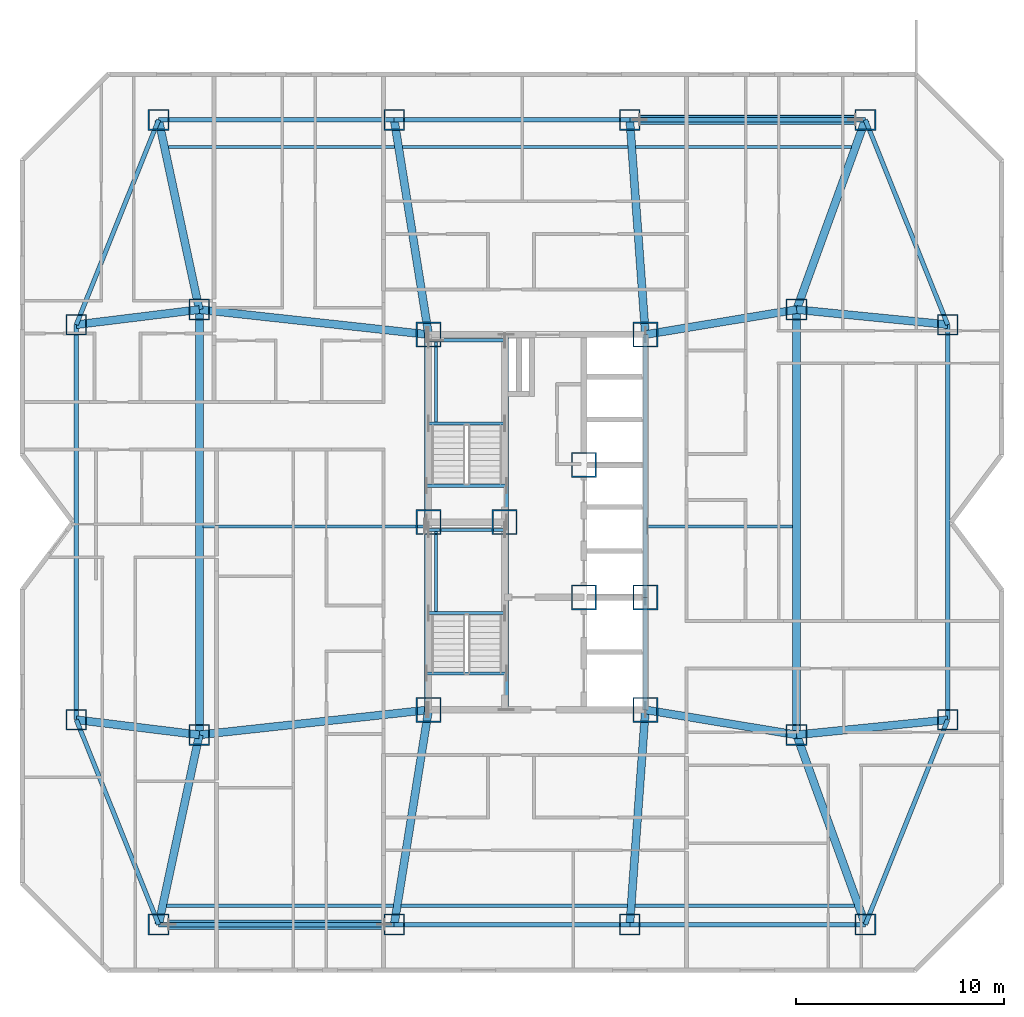
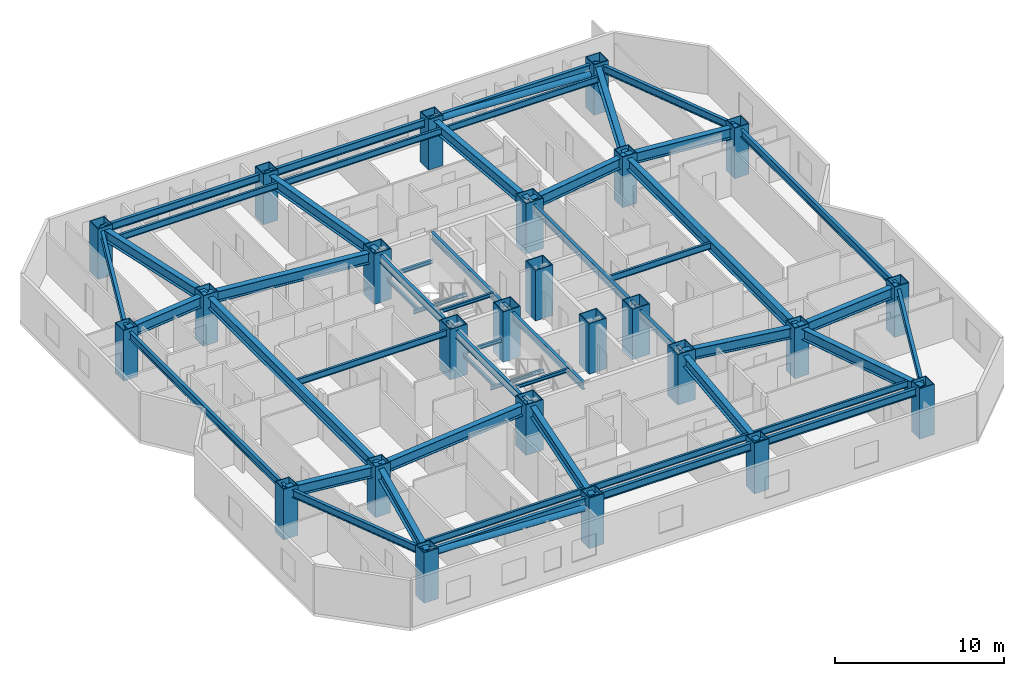
# One storey, part 1 of 11: 52 beams, 25 columns, 2 members.
"""IFC4 building model written with IfcOpenShell, lengths in metres."""

from ifc_helpers import new_model, si_unit, direction, frame, origin, origin_2d, place, context, subcontext, project, spatial, hollow_rectangle, hollow_circle, i_section, extrude, material, material_profile, profile_set, type_object, element, save


model = new_model("IFC4")

# Units and contexts
model_context = context("Model", 3, precision=1e-05, world=origin(), true_north=direction((0.0, 1.0)))
body_context = subcontext(model_context, "Body", "Model", "MODEL_VIEW")
ifc_project = project(units=[si_unit("LENGTHUNIT", "METRE"), si_unit("AREAUNIT", "SQUARE_METRE"), si_unit("VOLUMEUNIT", "CUBIC_METRE"), si_unit("PLANEANGLEUNIT", "RADIAN"), si_unit("MASSUNIT", "GRAM", prefix="KILO")], contexts=[model_context])

# Site, building, storey
site_placement = place(None, origin())
site = spatial("IfcSite", under=ifc_project, at=site_placement, CompositionType="ELEMENT")
building_placement = place(site_placement, origin())
building = spatial("IfcBuilding", under=site, at=building_placement, Name="Khamvora Tower", CompositionType="ELEMENT")
storey_placement = place(building_placement, frame((0.0, 0.0, 116.5)))
storey = spatial("IfcBuildingStorey", under=building, at=storey_placement, Name="L29", CompositionType="ELEMENT", Elevation=116.5)

# Columns
ifc_material_1 = material(Name="Steel S355", Category="steel")
ifc_material_profile_1 = material_profile(ifc_material_1, hollow_rectangle(XDim=1.0, YDim=1.0, WallThickness=0.050048828125, at=origin_2d()), Name="BOX1000x1000x50")
ifc_profile_set_1 = profile_set([ifc_material_profile_1], Name="Steel S355")
column_type_1 = type_object("IfcColumnType", Name="COL-BOX1000", PredefinedType="COLUMN", material=ifc_profile_set_1)
for number, where, z_axis, x_axis, name in (
    (1, (16.050048828125, 8.699951171875, 0.0), (0.0, 0.0, 1.0), (1.0, 0.0, 0.0), "L29 structural frame column S1"),
    (2, (27.35009765625, 8.699951171875, 0.0), (0.0, 0.0, 1.0), (1.0, 0.0, 0.0), "L29 structural frame column S2"),
    (3, (38.64990234375, 8.699951171875, 0.0), (0.0, 0.0, 1.0), (1.0, 0.0, 0.0), "L29 structural frame column S3"),
    (4, (49.949951171875, 8.699951171875, 0.0), (0.0, 0.0, 1.0), (1.0, 0.0, 0.0), "L29 structural frame column S4"),
    (5, (16.050048828125, 47.300048828125, 0.0), (0.0, 0.0, 1.0), (1.0, 0.0, 0.0), "L29 structural frame column N1"),
    (6, (27.35009765625, 47.300048828125, 0.0), (0.0, 0.0, 1.0), (1.0, 0.0, 0.0), "L29 structural frame column N2"),
    (7, (38.64990234375, 47.300048828125, 0.0), (0.0, 0.0, 1.0), (1.0, 0.0, 0.0), "L29 structural frame column N3"),
    (8, (49.949951171875, 47.300048828125, 0.0), (0.0, 0.0, 1.0), (1.0, 0.0, 0.0), "L29 structural frame column N4"),
    (9, (12.10009765625, 18.52490234375, 0.0), (0.0, 0.0, 1.0), (1.0, 0.0, 0.0), "L29 structural frame column W1"),
    (10, (12.10009765625, 37.47509765625, 0.0), (0.0, 0.0, 1.0), (1.0, 0.0, 0.0), "L29 structural frame column W2"),
    (11, (53.89990234375, 18.52490234375, 0.0), (0.0, 0.0, 1.0), (1.0, 0.0, 0.0), "L29 structural frame column E1"),
    (12, (53.89990234375, 37.47509765625, 0.0), (0.0, 0.0, 1.0), (1.0, 0.0, 0.0), "L29 structural frame column E2"),
    (13, (18.0, 17.800048828125, 0.0), (0.0, 0.0, 1.0), (1.0, 0.0, 0.0), "L29 structural frame column MW1"),
    (14, (18.0, 38.199951171875, 0.0), (0.0, 0.0, 1.0), (1.0, 0.0, 0.0), "L29 structural frame column MW2"),
    (15, (46.64990234375, 17.800048828125, 0.0), (0.0, 0.0, 1.0), (1.0, 0.0, 0.0), "L29 structural frame column M1"),
    (16, (46.64990234375, 38.199951171875, 0.0), (0.0, 0.0, 1.0), (1.0, 0.0, 0.0), "L29 structural frame column M2"),
):
    element("IfcColumn", number, at=place(storey_placement, frame(where, z_axis=z_axis, x_axis=x_axis)), inside=storey, type_object=column_type_1, Name=name, PredefinedType="COLUMN", context=body_context, shape_type="SweptSolid", body=[
        extrude(hollow_rectangle(XDim=1.0, YDim=1.0, WallThickness=0.050048828125, at=origin_2d()), origin(), (0.0, 0.0, 1.0), 3.64990234375),
    ])
ifc_material_2 = material(Name="Steel S460", Category="steel")
ifc_material_profile_2 = material_profile(ifc_material_2, hollow_rectangle(XDim=1.199951171875, YDim=1.199951171875, WallThickness=0.06005859375, at=origin_2d()), Name="BOX1200x1200x60")
ifc_profile_set_2 = profile_set([ifc_material_profile_2], Name="Steel S460")
column_type_2 = type_object("IfcColumnType", Name="COL-BOX1200", PredefinedType="COLUMN", material=ifc_profile_set_2)
for number, where, z_axis, x_axis, name in (
    (17, (29.0, 19.0, 0.0), (0.0, 0.0, 1.0), (1.0, 0.0, 0.0), "L29 plumb core spine column SC1"),
    (18, (32.64990234375, 28.0, 0.0), (0.0, 0.0, 1.0), (1.0, 0.0, 0.0), "L29 plumb core spine column SC2"),
    (19, (39.39990234375, 19.0, 0.0), (0.0, 0.0, 1.0), (1.0, 0.0, 0.0), "L29 plumb core spine column SC3"),
    (20, (29.0, 28.0, 0.0), (0.0, 0.0, 1.0), (1.0, 0.0, 0.0), "L29 plumb core spine column SC4"),
    (21, (36.449951171875, 24.39990234375, 0.0), (0.0, 0.0, 1.0), (1.0, 0.0, 0.0), "L29 plumb core spine column SC5"),
    (22, (39.39990234375, 24.39990234375, 0.0), (0.0, 0.0, 1.0), (1.0, 0.0, 0.0), "L29 plumb core spine column SC6"),
    (23, (29.0, 37.0, 0.0), (0.0, 0.0, 1.0), (1.0, 0.0, 0.0), "L29 plumb core spine column SC7"),
    (24, (36.449951171875, 30.75, 0.0), (0.0, 0.0, 1.0), (1.0, 0.0, 0.0), "L29 plumb core spine column SC8"),
    (25, (39.39990234375, 37.0, 0.0), (0.0, 0.0, 1.0), (1.0, 0.0, 0.0), "L29 plumb core spine column SC9"),
):
    element("IfcColumn", number, at=place(storey_placement, frame(where, z_axis=z_axis, x_axis=x_axis)), inside=storey, type_object=column_type_2, Name=name, PredefinedType="COLUMN", context=body_context, shape_type="SweptSolid", body=[
        extrude(hollow_rectangle(XDim=1.199951171875, YDim=1.199951171875, WallThickness=0.06005859375, at=origin_2d()), origin(), (0.0, 0.0, 1.0), 3.64990234375),
    ])

# Beams
ifc_material_profile_3 = material_profile(ifc_material_1, i_section(OverallWidth=0.154052734375, OverallDepth=0.458984375, WebThickness=0.009033203125, FlangeThickness=0.014892578125, FilletRadius=0.011962890625, at=origin_2d()), Name="W460x68")
ifc_profile_set_3 = profile_set([ifc_material_profile_3], Name="Steel S355")
beam_type_1 = type_object("IfcBeamType", Name="BM-JS-W460x68", PredefinedType="JOIST", material=ifc_profile_set_3)
beam_1_placement = place(storey_placement, frame((16.43310546875, 9.60009765625, 3.200927734375), z_axis=(1.0, 0.0, 0.0), x_axis=(0.0, 1.0, 0.0)))
element("IfcBeam", 26, at=beam_1_placement, inside=storey, type_object=beam_type_1, Name="L29 secondary floor joist 01", PredefinedType="JOIST", context=body_context, shape_type="SweptSolid", body=[
    extrude(i_section(OverallWidth=0.154052734375, OverallDepth=0.458984375, WebThickness=0.009033203125, FlangeThickness=0.014892578125, FilletRadius=0.011962890625, at=origin_2d()), origin(), (0.0, 0.0, 1.0), 10.872802734375),
])
beam_2_placement = place(storey_placement, frame((27.681884765625, 9.60009765625, 3.200927734375), z_axis=(1.0, 0.0, 0.0), x_axis=(0.0, 1.0, 0.0)))
element("IfcBeam", 27, at=beam_2_placement, inside=storey, type_object=beam_type_1, Name="L29 secondary floor joist 02", PredefinedType="JOIST", context=body_context, shape_type="SweptSolid", body=[
    extrude(i_section(OverallWidth=0.154052734375, OverallDepth=0.458984375, WebThickness=0.009033203125, FlangeThickness=0.014892578125, FilletRadius=0.011962890625, at=origin_2d()), origin(), (0.0, 0.0, 1.0), 10.84814453125),
])
beam_3_placement = place(storey_placement, frame((38.902099609375, 9.60009765625, 3.200927734375), z_axis=(1.0, 0.0, 0.0), x_axis=(0.0, 1.0, 0.0)))
element("IfcBeam", 28, at=beam_3_placement, inside=storey, type_object=beam_type_1, Name="L29 secondary floor joist 03", PredefinedType="JOIST", context=body_context, shape_type="SweptSolid", body=[
    extrude(i_section(OverallWidth=0.154052734375, OverallDepth=0.458984375, WebThickness=0.009033203125, FlangeThickness=0.014892578125, FilletRadius=0.011962890625, at=origin_2d()), origin(), (0.0, 0.0, 1.0), 10.52392578125),
])
beam_4_placement = place(storey_placement, frame((18.18603515625, 27.800048828125, 3.200927734375), z_axis=(1.0, 0.0, 0.0), x_axis=(0.0, 1.0, 0.0)))
element("IfcBeam", 29, at=beam_4_placement, inside=storey, type_object=beam_type_1, Name="L29 secondary floor joist 04", PredefinedType="JOIST", context=body_context, shape_type="SweptSolid", body=[
    extrude(i_section(OverallWidth=0.154052734375, OverallDepth=0.458984375, WebThickness=0.009033203125, FlangeThickness=0.014892578125, FilletRadius=0.011962890625, at=origin_2d()), origin(), (0.0, 0.0, 1.0), 10.614013671875),
])
beam_5_placement = place(storey_placement, frame((39.4990234375, 27.800048828125, 3.200927734375), z_axis=(1.0, 0.0, 0.0), x_axis=(0.0, 1.0, 0.0)))
element("IfcBeam", 30, at=beam_5_placement, inside=storey, type_object=beam_type_1, Name="L29 secondary floor joist 05", PredefinedType="JOIST", context=body_context, shape_type="SweptSolid", body=[
    extrude(i_section(OverallWidth=0.154052734375, OverallDepth=0.458984375, WebThickness=0.009033203125, FlangeThickness=0.014892578125, FilletRadius=0.011962890625, at=origin_2d()), origin(), (0.0, 0.0, 1.0), 6.966064453125),
])
beam_6_placement = place(storey_placement, frame((16.51806640625, 46.0, 3.200927734375), z_axis=(1.0, 0.0, 0.0), x_axis=(0.0, 1.0, 0.0)))
element("IfcBeam", 31, at=beam_6_placement, inside=storey, type_object=beam_type_1, Name="L29 secondary floor joist 06", PredefinedType="JOIST", context=body_context, shape_type="SweptSolid", body=[
    extrude(i_section(OverallWidth=0.154052734375, OverallDepth=0.458984375, WebThickness=0.009033203125, FlangeThickness=0.014892578125, FilletRadius=0.011962890625, at=origin_2d()), origin(), (0.0, 0.0, 1.0), 10.85205078125),
])
beam_7_placement = place(storey_placement, frame((27.74609375, 46.0, 3.200927734375), z_axis=(1.0, 0.0, 0.0), x_axis=(0.0, 1.0, 0.0)))
element("IfcBeam", 32, at=beam_7_placement, inside=storey, type_object=beam_type_1, Name="L29 secondary floor joist 07", PredefinedType="JOIST", context=body_context, shape_type="SweptSolid", body=[
    extrude(i_section(OverallWidth=0.154052734375, OverallDepth=0.458984375, WebThickness=0.009033203125, FlangeThickness=0.014892578125, FilletRadius=0.011962890625, at=origin_2d()), origin(), (0.0, 0.0, 1.0), 10.81298828125),
])
beam_8_placement = place(storey_placement, frame((38.930908203125, 46.0, 3.200927734375), z_axis=(1.0, 0.0, 0.0), x_axis=(0.0, 1.0, 0.0)))
element("IfcBeam", 33, at=beam_8_placement, inside=storey, type_object=beam_type_1, Name="L29 secondary floor joist 08", PredefinedType="JOIST", context=body_context, shape_type="SweptSolid", body=[
    extrude(i_section(OverallWidth=0.154052734375, OverallDepth=0.458984375, WebThickness=0.009033203125, FlangeThickness=0.014892578125, FilletRadius=0.011962890625, at=origin_2d()), origin(), (0.0, 0.0, 1.0), 10.35009765625),
])
ifc_material_profile_4 = material_profile(ifc_material_1, i_section(OverallWidth=0.14697265625, OverallDepth=0.261962890625, WebThickness=0.007080078125, FlangeThickness=0.010986328125, FilletRadius=0.008056640625, at=origin_2d()), Name="W250x39")
ifc_profile_set_4 = profile_set([ifc_material_profile_4], Name="Steel S355")
beam_type_2 = type_object("IfcBeamType", Name="BM-LN-W250x39", PredefinedType="LINTEL", material=ifc_profile_set_4)
for number, where, z_axis, x_axis, name in (
    (34, (29.0, 23.635009765625, 1.493896484375), (1.0, 0.0, 0.0), (0.0, 1.0, 0.0), "L29 ST-01 half-landing support beam 1.1"),
    (35, (29.0, 27.6298828125, 1.493896484375), (1.0, 0.0, 0.0), (0.0, 1.0, 0.0), "L29 ST-01 half-landing support beam 1.2"),
):
    element("IfcBeam", number, at=place(storey_placement, frame(where, z_axis=z_axis, x_axis=x_axis)), inside=storey, type_object=beam_type_2, Name=name, PredefinedType="LINTEL", context=body_context, shape_type="SweptSolid", body=[
        extrude(i_section(OverallWidth=0.14697265625, OverallDepth=0.261962890625, WebThickness=0.007080078125, FlangeThickness=0.010986328125, FilletRadius=0.008056640625, at=origin_2d()), origin(), (0.0, 0.0, 1.0), 3.64990234375),
    ])
beam_9_placement = place(storey_placement, frame((29.35009765625, 23.635009765625, 1.493896484375), z_axis=(0.0, 1.0, 0.0), x_axis=(-1.0, 0.0, 0.0)))
element("IfcBeam", 36, at=beam_9_placement, inside=storey, type_object=beam_type_2, Name="L29 ST-01 half-landing edge stringer 1", PredefinedType="LINTEL", context=body_context, shape_type="SweptSolid", body=[
    extrude(i_section(OverallWidth=0.14697265625, OverallDepth=0.261962890625, WebThickness=0.007080078125, FlangeThickness=0.010986328125, FilletRadius=0.008056640625, at=origin_2d()), origin(), (0.0, 0.0, 1.0), 3.994873046875),
])
for number, where, z_axis, x_axis, name in (
    (37, (29.0, 32.735107421875, 1.493896484375), (1.0, 0.0, 0.0), (0.0, 1.0, 0.0), "L29 ST-02 half-landing support beam 1.1"),
    (38, (29.0, 36.72998046875, 1.493896484375), (1.0, 0.0, 0.0), (0.0, 1.0, 0.0), "L29 ST-02 half-landing support beam 1.2"),
):
    element("IfcBeam", number, at=place(storey_placement, frame(where, z_axis=z_axis, x_axis=x_axis)), inside=storey, type_object=beam_type_2, Name=name, PredefinedType="LINTEL", context=body_context, shape_type="SweptSolid", body=[
        extrude(i_section(OverallWidth=0.14697265625, OverallDepth=0.261962890625, WebThickness=0.007080078125, FlangeThickness=0.010986328125, FilletRadius=0.008056640625, at=origin_2d()), origin(), (0.0, 0.0, 1.0), 3.64990234375),
    ])
beam_10_placement = place(storey_placement, frame((29.35009765625, 32.735107421875, 1.493896484375), z_axis=(0.0, 1.0, 0.0), x_axis=(-1.0, 0.0, 0.0)))
element("IfcBeam", 39, at=beam_10_placement, inside=storey, type_object=beam_type_2, Name="L29 ST-02 half-landing edge stringer 1", PredefinedType="LINTEL", context=body_context, shape_type="SweptSolid", body=[
    extrude(i_section(OverallWidth=0.14697265625, OverallDepth=0.261962890625, WebThickness=0.007080078125, FlangeThickness=0.010986328125, FilletRadius=0.008056640625, at=origin_2d()), origin(), (0.0, 0.0, 1.0), 3.994873046875),
])
for number, where, z_axis, x_axis, name in (
    (40, (28.89990234375, 20.75, 3.303955078125), (1.0, 0.0, 0.0), (0.0, 1.0, 0.0), "L29 exit stair ST-01 landing trimmer beam"),
    (41, (28.89990234375, 29.75, 3.303955078125), (1.0, 0.0, 0.0), (0.0, 1.0, 0.0), "L29 exit stair ST-02 landing trimmer beam"),
):
    element("IfcBeam", number, at=place(storey_placement, frame(where, z_axis=z_axis, x_axis=x_axis)), inside=storey, type_object=beam_type_2, Name=name, PredefinedType="LINTEL", context=body_context, shape_type="SweptSolid", body=[
        extrude(i_section(OverallWidth=0.14697265625, OverallDepth=0.261962890625, WebThickness=0.007080078125, FlangeThickness=0.010986328125, FilletRadius=0.008056640625, at=origin_2d()), origin(), (0.0, 0.0, 1.0), 3.830078125),
    ])
ifc_material_profile_5 = material_profile(ifc_material_1, i_section(OverallWidth=0.381103515625, OverallDepth=0.77294921875, WebThickness=0.01708984375, FlangeThickness=0.027099609375, FilletRadius=0.01806640625, at=origin_2d()), Name="W760x257")
ifc_profile_set_5 = profile_set([ifc_material_profile_5], Name="Steel S355")
beam_type_3 = type_object("IfcBeamType", Name="BM-PG-W760x257", PredefinedType="BEAM", material=ifc_profile_set_5)
for number, where, z_axis, x_axis, name in (
    (42, (46.64990234375, 17.800048828125, 3.0439453125), (0.0, 1.0, 0.0), (-1.0, 0.0, 0.0), "L29 longitudinal frame girder M1-M2"),
    (43, (18.0, 17.800048828125, 3.0439453125), (0.0, 1.0, 0.0), (-1.0, 0.0, 0.0), "L29 longitudinal frame girder MW1-MW2"),
):
    element("IfcBeam", number, at=place(storey_placement, frame(where, z_axis=z_axis, x_axis=x_axis)), inside=storey, type_object=beam_type_3, Name=name, PredefinedType="BEAM", context=body_context, shape_type="SweptSolid", body=[
        extrude(i_section(OverallWidth=0.381103515625, OverallDepth=0.77294921875, WebThickness=0.01708984375, FlangeThickness=0.027099609375, FilletRadius=0.01806640625, at=origin_2d()), origin(), (0.0, 0.0, 1.0), 20.39990234375),
    ])
beam_11_placement = place(storey_placement, frame((18.0, 17.800048828125, 3.0439453125), z_axis=(-0.209521922673, -0.977803949634, 0.0), x_axis=(0.977803949634, -0.209521922673, 0.0)))
element("IfcBeam", 44, at=beam_11_placement, inside=storey, type_object=beam_type_3, Name="L29 primary floor girder S1", PredefinedType="BEAM", context=body_context, shape_type="SweptSolid", body=[
    extrude(i_section(OverallWidth=0.381103515625, OverallDepth=0.77294921875, WebThickness=0.01708984375, FlangeThickness=0.027099609375, FilletRadius=0.01806640625, at=origin_2d()), origin(), (0.0, 0.0, 1.0), 9.306640625),
])
beam_12_placement = place(storey_placement, frame((29.0, 19.0, 3.0439453125), z_axis=(-0.158167584066, -0.987412282358, 0.0), x_axis=(0.987412282358, -0.158167584066, 0.0)))
element("IfcBeam", 45, at=beam_12_placement, inside=storey, type_object=beam_type_3, Name="L29 primary floor girder S2", PredefinedType="BEAM", context=body_context, shape_type="SweptSolid", body=[
    extrude(i_section(OverallWidth=0.381103515625, OverallDepth=0.77294921875, WebThickness=0.01708984375, FlangeThickness=0.027099609375, FilletRadius=0.01806640625, at=origin_2d()), origin(), (0.0, 0.0, 1.0), 10.431396484375),
])
beam_13_placement = place(storey_placement, frame((39.39990234375, 19.0, 3.0439453125), z_axis=(-0.07262291808, -0.997359469685, 0.0), x_axis=(0.997359469685, -0.07262291808, 0.0)))
element("IfcBeam", 46, at=beam_13_placement, inside=storey, type_object=beam_type_3, Name="L29 primary floor girder S3", PredefinedType="BEAM", context=body_context, shape_type="SweptSolid", body=[
    extrude(i_section(OverallWidth=0.381103515625, OverallDepth=0.77294921875, WebThickness=0.01708984375, FlangeThickness=0.027099609375, FilletRadius=0.01806640625, at=origin_2d()), origin(), (0.0, 0.0, 1.0), 10.327392578125),
])
beam_14_placement = place(storey_placement, frame((46.64990234375, 17.800048828125, 3.0439453125), z_axis=(0.340914681567, -0.940094239899, 0.0), x_axis=(0.940094239899, 0.340914681567, 0.0)))
element("IfcBeam", 47, at=beam_14_placement, inside=storey, type_object=beam_type_3, Name="L29 primary floor girder S4", PredefinedType="BEAM", context=body_context, shape_type="SweptSolid", body=[
    extrude(i_section(OverallWidth=0.381103515625, OverallDepth=0.77294921875, WebThickness=0.01708984375, FlangeThickness=0.027099609375, FilletRadius=0.01806640625, at=origin_2d()), origin(), (0.0, 0.0, 1.0), 9.679931640625),
])
beam_15_placement = place(storey_placement, frame((18.0, 38.199951171875, 3.0439453125), z_axis=(-0.209521922673, 0.977803949634, 0.0), x_axis=(-0.977803949634, -0.209521922673, 0.0)))
element("IfcBeam", 48, at=beam_15_placement, inside=storey, type_object=beam_type_3, Name="L29 primary floor girder N1", PredefinedType="BEAM", context=body_context, shape_type="SweptSolid", body=[
    extrude(i_section(OverallWidth=0.381103515625, OverallDepth=0.77294921875, WebThickness=0.01708984375, FlangeThickness=0.027099609375, FilletRadius=0.01806640625, at=origin_2d()), origin(), (0.0, 0.0, 1.0), 9.306640625),
])
beam_16_placement = place(storey_placement, frame((29.0, 37.0, 3.0439453125), z_axis=(-0.158167584066, 0.987412282358, 0.0), x_axis=(-0.987412282358, -0.158167584066, 0.0)))
element("IfcBeam", 49, at=beam_16_placement, inside=storey, type_object=beam_type_3, Name="L29 primary floor girder N2", PredefinedType="BEAM", context=body_context, shape_type="SweptSolid", body=[
    extrude(i_section(OverallWidth=0.381103515625, OverallDepth=0.77294921875, WebThickness=0.01708984375, FlangeThickness=0.027099609375, FilletRadius=0.01806640625, at=origin_2d()), origin(), (0.0, 0.0, 1.0), 10.431396484375),
])
beam_17_placement = place(storey_placement, frame((39.39990234375, 37.0, 3.0439453125), z_axis=(-0.07262291808, 0.997359469685, 0.0), x_axis=(-0.997359469685, -0.07262291808, 0.0)))
element("IfcBeam", 50, at=beam_17_placement, inside=storey, type_object=beam_type_3, Name="L29 primary floor girder N3", PredefinedType="BEAM", context=body_context, shape_type="SweptSolid", body=[
    extrude(i_section(OverallWidth=0.381103515625, OverallDepth=0.77294921875, WebThickness=0.01708984375, FlangeThickness=0.027099609375, FilletRadius=0.01806640625, at=origin_2d()), origin(), (0.0, 0.0, 1.0), 10.327392578125),
])
beam_18_placement = place(storey_placement, frame((46.64990234375, 38.199951171875, 3.0439453125), z_axis=(0.340914681567, 0.940094239899, 0.0), x_axis=(-0.940094239899, 0.340914681567, 0.0)))
element("IfcBeam", 51, at=beam_18_placement, inside=storey, type_object=beam_type_3, Name="L29 primary floor girder N4", PredefinedType="BEAM", context=body_context, shape_type="SweptSolid", body=[
    extrude(i_section(OverallWidth=0.381103515625, OverallDepth=0.77294921875, WebThickness=0.01708984375, FlangeThickness=0.027099609375, FilletRadius=0.01806640625, at=origin_2d()), origin(), (0.0, 0.0, 1.0), 9.679931640625),
])
for number, where, z_axis, x_axis, name in (
    (52, (18.0, 17.800048828125, 3.0439453125), (-0.992537264608, 0.12194170068, 0.0), (-0.12194170068, -0.992537264608, 0.0), "L29 primary floor girder W1"),
    (53, (18.0, 38.199951171875, 3.0439453125), (-0.992537264608, -0.12194170068, 0.0), (0.12194170068, -0.992537264608, 0.0), "L29 primary floor girder W2"),
):
    element("IfcBeam", number, at=place(storey_placement, frame(where, z_axis=z_axis, x_axis=x_axis)), inside=storey, type_object=beam_type_3, Name=name, PredefinedType="BEAM", context=body_context, shape_type="SweptSolid", body=[
        extrude(i_section(OverallWidth=0.381103515625, OverallDepth=0.77294921875, WebThickness=0.01708984375, FlangeThickness=0.027099609375, FilletRadius=0.01806640625, at=origin_2d()), origin(), (0.0, 0.0, 1.0), 5.9443359375),
    ])
for number, where, z_axis, x_axis, name in (
    (54, (46.64990234375, 17.800048828125, 3.0439453125), (0.995039180556, 0.099483813546, 0.0), (-0.099483813546, 0.995039180556, 0.0), "L29 primary floor girder E1"),
    (55, (46.64990234375, 38.199951171875, 3.0439453125), (0.995039180556, -0.099483813546, 0.0), (0.099483813546, 0.995039180556, 0.0), "L29 primary floor girder E2"),
):
    element("IfcBeam", number, at=place(storey_placement, frame(where, z_axis=z_axis, x_axis=x_axis)), inside=storey, type_object=beam_type_3, Name=name, PredefinedType="BEAM", context=body_context, shape_type="SweptSolid", body=[
        extrude(i_section(OverallWidth=0.381103515625, OverallDepth=0.77294921875, WebThickness=0.01708984375, FlangeThickness=0.027099609375, FilletRadius=0.01806640625, at=origin_2d()), origin(), (0.0, 0.0, 1.0), 7.2861328125),
    ])
for number, where, z_axis, x_axis, name in (
    (56, (29.0, 19.0, 3.0439453125), (-0.994102652327, -0.108443149329, 0.0), (0.108443149329, -0.994102652327, 0.0), "L29 primary floor girder MW1"),
    (57, (29.0, 37.0, 3.0439453125), (-0.994102652327, 0.108443149329, 0.0), (-0.108443149329, -0.994102652327, 0.0), "L29 primary floor girder MW2"),
):
    element("IfcBeam", number, at=place(storey_placement, frame(where, z_axis=z_axis, x_axis=x_axis)), inside=storey, type_object=beam_type_3, Name=name, PredefinedType="BEAM", context=body_context, shape_type="SweptSolid", body=[
        extrude(i_section(OverallWidth=0.381103515625, OverallDepth=0.77294921875, WebThickness=0.01708984375, FlangeThickness=0.027099609375, FilletRadius=0.01806640625, at=origin_2d()), origin(), (0.0, 0.0, 1.0), 11.065185546875),
    ])
for number, where, z_axis, x_axis, name in (
    (58, (39.39990234375, 19.0, 3.0439453125), (0.986578268552, -0.163289068896, 0.0), (0.163289068896, 0.986578268552, 0.0), "L29 primary floor girder M1"),
    (59, (39.39990234375, 37.0, 3.0439453125), (0.986578268552, 0.163289068896, 0.0), (-0.163289068896, 0.986578268552, 0.0), "L29 primary floor girder M2"),
):
    element("IfcBeam", number, at=place(storey_placement, frame(where, z_axis=z_axis, x_axis=x_axis)), inside=storey, type_object=beam_type_3, Name=name, PredefinedType="BEAM", context=body_context, shape_type="SweptSolid", body=[
        extrude(i_section(OverallWidth=0.381103515625, OverallDepth=0.77294921875, WebThickness=0.01708984375, FlangeThickness=0.027099609375, FilletRadius=0.01806640625, at=origin_2d()), origin(), (0.0, 0.0, 1.0), 7.3486328125),
    ])
ifc_material_profile_6 = material_profile(ifc_material_1, i_section(OverallWidth=0.2119140625, OverallDepth=0.5439453125, WebThickness=0.012939453125, FlangeThickness=0.02099609375, FilletRadius=0.013916015625, at=origin_2d()), Name="W530x123")
ifc_profile_set_6 = profile_set([ifc_material_profile_6], Name="Steel S355")
beam_type_4 = type_object("IfcBeamType", Name="BM-SP-W530x123", PredefinedType="SPANDREL", material=ifc_profile_set_6)
beam_19_placement = place(storey_placement, frame((12.10009765625, 18.52490234375, 3.157958984375), z_axis=(0.373015921536, -0.927824941614, 0.0), x_axis=(0.927824941614, 0.373015921536, 0.0)))
element("IfcBeam", 60, at=beam_19_placement, inside=storey, type_object=beam_type_4, Name="L29 perimeter spandrel beam W1-S1", PredefinedType="SPANDREL", context=body_context, shape_type="SweptSolid", body=[
    extrude(i_section(OverallWidth=0.2119140625, OverallDepth=0.5439453125, WebThickness=0.012939453125, FlangeThickness=0.02099609375, FilletRadius=0.013916015625, at=origin_2d()), origin(), (0.0, 0.0, 1.0), 10.589111328125),
])
beam_20_placement = place(storey_placement, frame((16.050048828125, 8.699951171875, 3.157958984375), z_axis=(1.0, 0.0, 0.0), x_axis=(0.0, 1.0, 0.0)))
element("IfcBeam", 61, at=beam_20_placement, inside=storey, type_object=beam_type_4, Name="L29 perimeter spandrel beam S1-S2", PredefinedType="SPANDREL", context=body_context, shape_type="SweptSolid", body=[
    extrude(i_section(OverallWidth=0.2119140625, OverallDepth=0.5439453125, WebThickness=0.012939453125, FlangeThickness=0.02099609375, FilletRadius=0.013916015625, at=origin_2d()), origin(), (0.0, 0.0, 1.0), 11.300048828125),
])
beam_21_placement = place(storey_placement, frame((27.35009765625, 8.699951171875, 3.157958984375), z_axis=(1.0, 0.0, 0.0), x_axis=(0.0, 1.0, 0.0)))
element("IfcBeam", 62, at=beam_21_placement, inside=storey, type_object=beam_type_4, Name="L29 perimeter spandrel beam S2-S3", PredefinedType="SPANDREL", context=body_context, shape_type="SweptSolid", body=[
    extrude(i_section(OverallWidth=0.2119140625, OverallDepth=0.5439453125, WebThickness=0.012939453125, FlangeThickness=0.02099609375, FilletRadius=0.013916015625, at=origin_2d()), origin(), (0.0, 0.0, 1.0), 11.2998046875),
])
beam_22_placement = place(storey_placement, frame((38.64990234375, 8.699951171875, 3.157958984375), z_axis=(1.0, 0.0, 0.0), x_axis=(0.0, 1.0, 0.0)))
element("IfcBeam", 63, at=beam_22_placement, inside=storey, type_object=beam_type_4, Name="L29 perimeter spandrel beam S3-S4", PredefinedType="SPANDREL", context=body_context, shape_type="SweptSolid", body=[
    extrude(i_section(OverallWidth=0.2119140625, OverallDepth=0.5439453125, WebThickness=0.012939453125, FlangeThickness=0.02099609375, FilletRadius=0.013916015625, at=origin_2d()), origin(), (0.0, 0.0, 1.0), 11.300048828125),
])
beam_23_placement = place(storey_placement, frame((49.949951171875, 8.699951171875, 3.157958984375), z_axis=(0.373015921536, 0.927824941614, 0.0), x_axis=(-0.927824941614, 0.373015921536, 0.0)))
element("IfcBeam", 64, at=beam_23_placement, inside=storey, type_object=beam_type_4, Name="L29 perimeter spandrel beam S4-E1", PredefinedType="SPANDREL", context=body_context, shape_type="SweptSolid", body=[
    extrude(i_section(OverallWidth=0.2119140625, OverallDepth=0.5439453125, WebThickness=0.012939453125, FlangeThickness=0.02099609375, FilletRadius=0.013916015625, at=origin_2d()), origin(), (0.0, 0.0, 1.0), 10.589111328125),
])
beam_24_placement = place(storey_placement, frame((53.89990234375, 18.52490234375, 3.157958984375), z_axis=(0.0, 1.0, 0.0), x_axis=(-1.0, 0.0, 0.0)))
element("IfcBeam", 65, at=beam_24_placement, inside=storey, type_object=beam_type_4, Name="L29 perimeter spandrel beam E1-E2", PredefinedType="SPANDREL", context=body_context, shape_type="SweptSolid", body=[
    extrude(i_section(OverallWidth=0.2119140625, OverallDepth=0.5439453125, WebThickness=0.012939453125, FlangeThickness=0.02099609375, FilletRadius=0.013916015625, at=origin_2d()), origin(), (0.0, 0.0, 1.0), 18.9501953125),
])
beam_25_placement = place(storey_placement, frame((53.89990234375, 37.47509765625, 3.157958984375), z_axis=(-0.373015921536, 0.927824941614, 0.0), x_axis=(-0.927824941614, -0.373015921536, 0.0)))
element("IfcBeam", 66, at=beam_25_placement, inside=storey, type_object=beam_type_4, Name="L29 perimeter spandrel beam E2-N4", PredefinedType="SPANDREL", context=body_context, shape_type="SweptSolid", body=[
    extrude(i_section(OverallWidth=0.2119140625, OverallDepth=0.5439453125, WebThickness=0.012939453125, FlangeThickness=0.02099609375, FilletRadius=0.013916015625, at=origin_2d()), origin(), (0.0, 0.0, 1.0), 10.589111328125),
])
beam_26_placement = place(storey_placement, frame((49.949951171875, 47.300048828125, 3.157958984375), z_axis=(-1.0, 0.0, 0.0), x_axis=(0.0, -1.0, 0.0)))
element("IfcBeam", 67, at=beam_26_placement, inside=storey, type_object=beam_type_4, Name="L29 perimeter spandrel beam N4-N3", PredefinedType="SPANDREL", context=body_context, shape_type="SweptSolid", body=[
    extrude(i_section(OverallWidth=0.2119140625, OverallDepth=0.5439453125, WebThickness=0.012939453125, FlangeThickness=0.02099609375, FilletRadius=0.013916015625, at=origin_2d()), origin(), (0.0, 0.0, 1.0), 11.300048828125),
])
beam_27_placement = place(storey_placement, frame((38.64990234375, 47.300048828125, 3.157958984375), z_axis=(-1.0, 0.0, 0.0), x_axis=(0.0, -1.0, 0.0)))
element("IfcBeam", 68, at=beam_27_placement, inside=storey, type_object=beam_type_4, Name="L29 perimeter spandrel beam N3-N2", PredefinedType="SPANDREL", context=body_context, shape_type="SweptSolid", body=[
    extrude(i_section(OverallWidth=0.2119140625, OverallDepth=0.5439453125, WebThickness=0.012939453125, FlangeThickness=0.02099609375, FilletRadius=0.013916015625, at=origin_2d()), origin(), (0.0, 0.0, 1.0), 11.2998046875),
])
beam_28_placement = place(storey_placement, frame((27.35009765625, 47.300048828125, 3.157958984375), z_axis=(-1.0, 0.0, 0.0), x_axis=(0.0, -1.0, 0.0)))
element("IfcBeam", 69, at=beam_28_placement, inside=storey, type_object=beam_type_4, Name="L29 perimeter spandrel beam N2-N1", PredefinedType="SPANDREL", context=body_context, shape_type="SweptSolid", body=[
    extrude(i_section(OverallWidth=0.2119140625, OverallDepth=0.5439453125, WebThickness=0.012939453125, FlangeThickness=0.02099609375, FilletRadius=0.013916015625, at=origin_2d()), origin(), (0.0, 0.0, 1.0), 11.300048828125),
])
beam_29_placement = place(storey_placement, frame((16.050048828125, 47.300048828125, 3.157958984375), z_axis=(-0.373015921536, -0.927824941614, 0.0), x_axis=(0.927824941614, -0.373015921536, 0.0)))
element("IfcBeam", 70, at=beam_29_placement, inside=storey, type_object=beam_type_4, Name="L29 perimeter spandrel beam N1-W2", PredefinedType="SPANDREL", context=body_context, shape_type="SweptSolid", body=[
    extrude(i_section(OverallWidth=0.2119140625, OverallDepth=0.5439453125, WebThickness=0.012939453125, FlangeThickness=0.02099609375, FilletRadius=0.013916015625, at=origin_2d()), origin(), (0.0, 0.0, 1.0), 10.589111328125),
])
beam_30_placement = place(storey_placement, frame((12.10009765625, 37.47509765625, 3.157958984375), z_axis=(0.0, -1.0, 0.0), x_axis=(1.0, 0.0, 0.0)))
element("IfcBeam", 71, at=beam_30_placement, inside=storey, type_object=beam_type_4, Name="L29 perimeter spandrel beam W2-W1", PredefinedType="SPANDREL", context=body_context, shape_type="SweptSolid", body=[
    extrude(i_section(OverallWidth=0.2119140625, OverallDepth=0.5439453125, WebThickness=0.012939453125, FlangeThickness=0.02099609375, FilletRadius=0.013916015625, at=origin_2d()), origin(), (0.0, 0.0, 1.0), 18.9501953125),
])
ifc_material_profile_7 = material_profile(ifc_material_1, i_section(OverallWidth=0.208984375, OverallDepth=0.532958984375, WebThickness=0.010009765625, FlangeThickness=0.01611328125, FilletRadius=0.013916015625, at=origin_2d()), Name="W530x92")
ifc_profile_set_7 = profile_set([ifc_material_profile_7], Name="Steel S355")
beam_type_5 = type_object("IfcBeamType", Name="BM-SP-W530x92", PredefinedType="SPANDREL", material=ifc_profile_set_7)
for number, where, z_axis, x_axis, name in (
    (72, (28.89990234375, 19.0, 3.1640625), (0.0, 1.0, 0.0), (-1.0, 0.0, 0.0), "L29 core spine girder WS"),
    (73, (28.89990234375, 28.0, 3.1640625), (0.0, 1.0, 0.0), (-1.0, 0.0, 0.0), "L29 core spine girder WN"),
    (74, (32.72998046875, 19.0, 3.1640625), (0.0, 1.0, 0.0), (-1.0, 0.0, 0.0), "L29 core spine girder M1S"),
    (75, (32.72998046875, 28.0, 3.1640625), (0.0, 1.0, 0.0), (-1.0, 0.0, 0.0), "L29 core spine girder M1N"),
):
    element("IfcBeam", number, at=place(storey_placement, frame(where, z_axis=z_axis, x_axis=x_axis)), inside=storey, type_object=beam_type_5, Name=name, PredefinedType="SPANDREL", context=body_context, shape_type="SweptSolid", body=[
        extrude(i_section(OverallWidth=0.208984375, OverallDepth=0.532958984375, WebThickness=0.010009765625, FlangeThickness=0.01611328125, FilletRadius=0.013916015625, at=origin_2d()), origin(), (0.0, 0.0, 1.0), 9.0),
    ])
beam_31_placement = place(storey_placement, frame((39.39990234375, 19.0, 3.1640625), z_axis=(0.0, 1.0, 0.0), x_axis=(-1.0, 0.0, 0.0)))
element("IfcBeam", 76, at=beam_31_placement, inside=storey, type_object=beam_type_5, Name="L29 core spine girder ES", PredefinedType="SPANDREL", context=body_context, shape_type="SweptSolid", body=[
    extrude(i_section(OverallWidth=0.208984375, OverallDepth=0.532958984375, WebThickness=0.010009765625, FlangeThickness=0.01611328125, FilletRadius=0.013916015625, at=origin_2d()), origin(), (0.0, 0.0, 1.0), 5.39990234375),
])
beam_32_placement = place(storey_placement, frame((39.39990234375, 24.39990234375, 3.1640625), z_axis=(0.0, 1.0, 0.0), x_axis=(-1.0, 0.0, 0.0)))
element("IfcBeam", 77, at=beam_32_placement, inside=storey, type_object=beam_type_5, Name="L29 core spine girder EN", PredefinedType="SPANDREL", context=body_context, shape_type="SweptSolid", body=[
    extrude(i_section(OverallWidth=0.208984375, OverallDepth=0.532958984375, WebThickness=0.010009765625, FlangeThickness=0.01611328125, FilletRadius=0.013916015625, at=origin_2d()), origin(), (0.0, 0.0, 1.0), 12.60009765625),
])

# Members
ifc_material_profile_8 = material_profile(ifc_material_1, hollow_circle(Radius=0.228515625, WallThickness=0.02001953125, at=origin_2d()), Name="CHS457x20")
ifc_profile_set_8 = profile_set([ifc_material_profile_8], Name="Steel S355")
member_type = type_object("IfcMemberType", Name="MEM-BR-CHS457", PredefinedType="BRACE", material=ifc_profile_set_8)
for number, where, z_axis, x_axis, name in (
    (78, (26.8701171875, 8.699951171875, 2.699951171875), (-0.999087057337, 0.0, 0.042720625713), (0.0, -1.0, 0.0), "L29 perimeter wind brace 1"),
    (79, (49.469970703125, 47.300048828125, 2.699951171875), (-0.999087057337, 0.0, 0.042720625713), (0.0, -1.0, 0.0), "L29 perimeter wind brace 2"),
):
    element("IfcMember", number, at=place(storey_placement, frame(where, z_axis=z_axis, x_axis=x_axis)), inside=storey, type_object=member_type, Name=name, PredefinedType="BRACE", context=body_context, shape_type="SweptSolid", body=[
        extrude(hollow_circle(Radius=0.228515625, WallThickness=0.02001953125, at=origin_2d()), origin(), (0.0, 0.0, 1.0), 10.349609375),
    ])

save(model, "model.ifc")
